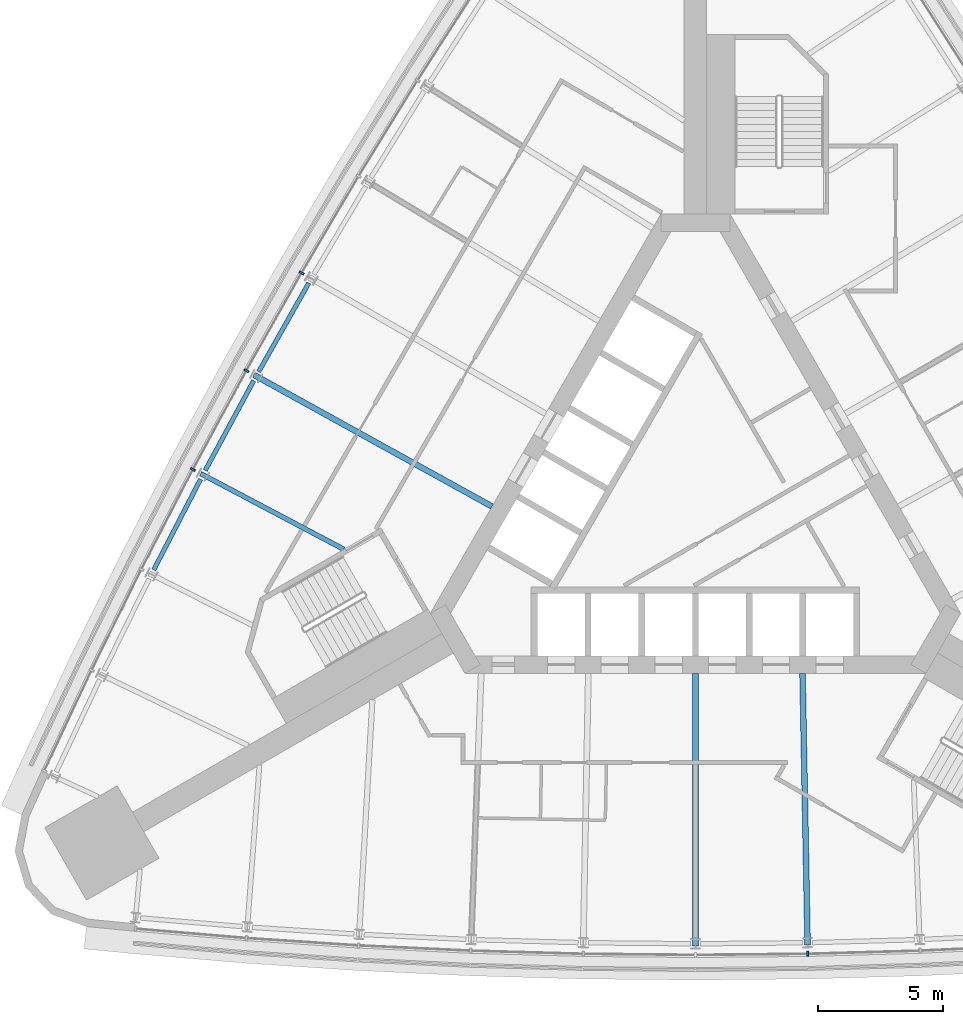
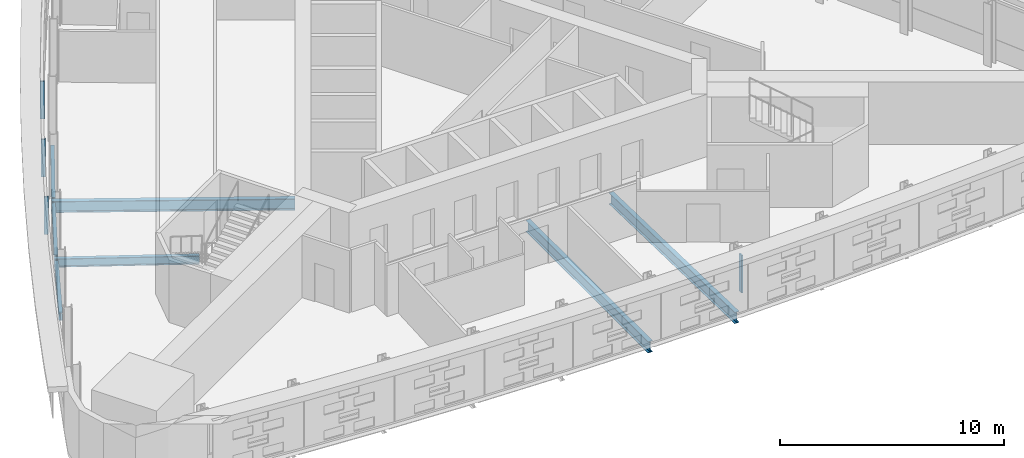
# One storey, part 4 of 14: 7 beams, 4 members, 2 elements without a shape of their own.
"""IFC4 building model written with IfcOpenShell, lengths in metres."""

from ifc_helpers import new_model, si_unit, direction, frame, origin, origin_2d, place, context, subcontext, project, spatial, rectangle, i_section, extrude, material, material_profile, profile_set, type_object, element, aggregate, save


model = new_model("IFC4")

# Units and contexts
model_context = context("Model", 3, precision=1e-05, world=origin(), true_north=direction((0.0, 1.0)))
body_context = subcontext(model_context, "Body", "Model", "MODEL_VIEW")
ifc_project = project(units=[si_unit("LENGTHUNIT", "METRE"), si_unit("AREAUNIT", "SQUARE_METRE"), si_unit("VOLUMEUNIT", "CUBIC_METRE"), si_unit("PLANEANGLEUNIT", "RADIAN"), si_unit("MASSUNIT", "GRAM", prefix="KILO")], contexts=[model_context])

# Site, building, storey
site_placement = place(None, origin())
site = spatial("IfcSite", under=ifc_project, at=site_placement, CompositionType="ELEMENT")
building_placement = place(site_placement, origin())
building = spatial("IfcBuilding", under=site, at=building_placement, Name="Noor Cloister Tower", CompositionType="ELEMENT")
storey_placement = place(building_placement, frame((0.0, 0.0, 42.0)))
storey = spatial("IfcBuildingStorey", under=building, at=storey_placement, Name="L10", CompositionType="ELEMENT", Elevation=42.0)

# Curtain wall, members
ifc_material_1 = material(Name="Aluminium 6063-T6 anodised", Category="aluminium")
curtain_wall_type = type_object("IfcCurtainWallType", Name="Ribbon curtain wall, lower tower CW1", PredefinedType="NOTDEFINED", material=ifc_material_1)
curtain_wall_1_placement = place(storey_placement, origin())
curtain_wall_1 = element("IfcCurtainWall", 1, at=curtain_wall_1_placement, inside=storey, type_object=curtain_wall_type, Name="CW1 L10 NW run 1", PredefinedType="NOTDEFINED")
ifc_material_2 = material(Name="Aluminium 6063-T6 anodised", Category="aluminium")
ifc_material_profile_1 = material_profile(ifc_material_2, rectangle(XDim=0.199951171875, YDim=0.080078125, at=origin_2d()), Name="200 x 80 mullion")
ifc_profile_set_1 = profile_set([ifc_material_profile_1], Name="Aluminium 6063-T6 anodised")
member_type = type_object("IfcMemberType", Name="Mullion CW1 80 x 200", PredefinedType="MULLION", material=ifc_profile_set_1)
member_1_placement = place(storey_placement, frame((-15.767578125, 9.103515625, 1.10009765625), z_axis=(0.0, 0.0, 1.0), x_axis=(0.866025403784, -0.5, 0.0)))
member_1 = element("IfcMember", 2, at=member_1_placement, type_object=member_type, Name="CW1 mullion 6", PredefinedType="MULLION", context=body_context, shape_type="SweptSolid", body=[
    extrude(rectangle(XDim=0.199951171875, YDim=0.080078125, at=origin_2d()), origin(), (0.0, 0.0, 1.0), 2.0498046875),
])
member_2_placement = place(storey_placement, frame((-17.97998046875, 5.18701171875, 1.10009765625), z_axis=(0.0, 0.0, 1.0), x_axis=(0.875236705229, -0.483694851967, 0.0)))
member_2 = element("IfcMember", 3, at=member_2_placement, type_object=member_type, Name="CW1 mullion 7", PredefinedType="MULLION", context=body_context, shape_type="SweptSolid", body=[
    extrude(rectangle(XDim=0.199951171875, YDim=0.080078125, at=origin_2d()), origin(), (0.0, 0.0, 1.0), 2.0498046875),
])
member_3_placement = place(storey_placement, frame((-20.11865234375, 1.22998046875, 1.10009765625), z_axis=(0.0, 0.0, 1.0), x_axis=(0.884141064129, -0.467220053851, 0.0)))
member_3 = element("IfcMember", 4, at=member_3_placement, type_object=member_type, Name="CW1 mullion 8", PredefinedType="MULLION", context=body_context, shape_type="SweptSolid", body=[
    extrude(rectangle(XDim=0.199951171875, YDim=0.080078125, at=origin_2d()), origin(), (0.0, 0.0, 1.0), 2.0498046875),
])
aggregate(curtain_wall_1, [member_1, member_2, member_3])

# Curtain wall, member
curtain_wall_2_placement = place(storey_placement, origin())
curtain_wall_2 = element("IfcCurtainWall", 5, at=curtain_wall_2_placement, inside=storey, type_object=curtain_wall_type, Name="CW1 L10 S run 2", PredefinedType="NOTDEFINED")
member_4_placement = place(storey_placement, frame((4.497802734375, -18.164794921875, 1.10009765625), z_axis=(0.0, 0.0, 1.0), x_axis=(-0.018726323132, 0.999824647037, 0.0)))
member_4 = element("IfcMember", 6, at=member_4_placement, type_object=member_type, Name="CW1 mullion 7", PredefinedType="MULLION", context=body_context, shape_type="SweptSolid", body=[
    extrude(rectangle(XDim=0.199951171875, YDim=0.080078125, at=origin_2d()), origin(), (0.0, 0.0, 1.0), 2.0498046875),
])
aggregate(curtain_wall_2, [member_4])

# Beams
ifc_material_3 = material(Name="Steel ASTM A992 Gr 50", Category="steel")
ifc_material_profile_2 = material_profile(ifc_material_3, i_section(OverallWidth=0.19091796875, OverallDepth=0.45703125, WebThickness=0.009033203125, FlangeThickness=0.014404296875, FilletRadius=0.01025390625, at=origin_2d()), Name="W460x74")
ifc_profile_set_2 = profile_set([ifc_material_profile_2], Name="Steel ASTM A992 Gr 50")
beam_type_1 = type_object("IfcBeamType", Name="Radial beam W460x74", PredefinedType="BEAM", material=ifc_profile_set_2)
beam_1_placement = place(storey_placement, frame((-19.806640625, 1.065185546875, -0.428466796875), z_axis=(0.884140269683, -0.467221557214, 0.0), x_axis=(0.467221557214, 0.884140269683, 0.0)))
element("IfcBeam", 7, at=beam_1_placement, inside=storey, type_object=beam_type_1, Name="Radial beam NW 08 L10", PredefinedType="BEAM", context=body_context, shape_type="SweptSolid", body=[
    extrude(i_section(OverallWidth=0.19091796875, OverallDepth=0.45703125, WebThickness=0.009033203125, FlangeThickness=0.014404296875, FilletRadius=0.01025390625, at=origin_2d()), origin(), (0.0, 0.0, 1.0), 6.484130859375),
])
ifc_material_4 = material(Name="Steel ASTM A992 Gr 50", Category="steel")
ifc_material_profile_3 = material_profile(ifc_material_4, i_section(OverallWidth=0.22900390625, OverallDepth=0.612060546875, WebThickness=0.011962890625, FlangeThickness=0.01953125, FilletRadius=0.0126953125, at=origin_2d()), Name="W610x125")
ifc_profile_set_3 = profile_set([ifc_material_profile_3], Name="Steel ASTM A992 Gr 50")
beam_type_2 = type_object("IfcBeamType", Name="Radial beam W610x125", PredefinedType="BEAM", material=ifc_profile_set_3)
beam_2_placement = place(storey_placement, frame((-17.671142578125, 5.016357421875, -0.506103515625), z_axis=(0.875231041062, -0.48370510103, 0.0), x_axis=(0.48370510103, 0.875231041062, 0.0)))
element("IfcBeam", 8, at=beam_2_placement, inside=storey, type_object=beam_type_2, Name="Radial beam NW 07 L10", PredefinedType="BEAM", context=body_context, shape_type="SweptSolid", body=[
    extrude(i_section(OverallWidth=0.22900390625, OverallDepth=0.612060546875, WebThickness=0.011962890625, FlangeThickness=0.01953125, FilletRadius=0.0126953125, at=origin_2d()), origin(), (0.0, 0.0, 1.0), 10.885498046875),
])
beam_3_placement = place(storey_placement, frame((0.0, -17.853759765625, -0.506103515625), z_axis=(0.0, 1.0, 0.0), x_axis=(-1.0, 0.0, 0.0)))
element("IfcBeam", 9, at=beam_3_placement, inside=storey, type_object=beam_type_2, Name="Radial beam S 06 L10", PredefinedType="BEAM", context=body_context, shape_type="SweptSolid", body=[
    extrude(i_section(OverallWidth=0.22900390625, OverallDepth=0.612060546875, WebThickness=0.011962890625, FlangeThickness=0.01953125, FilletRadius=0.0126953125, at=origin_2d()), origin(), (0.0, 0.0, 1.0), 10.925537109375),
])
beam_4_placement = place(storey_placement, frame((4.4912109375, -17.811767578125, -0.506103515625), z_axis=(-0.01872750761, 0.999824624851, 0.0), x_axis=(-0.999824624851, -0.01872750761, 0.0)))
element("IfcBeam", 10, at=beam_4_placement, inside=storey, type_object=beam_type_2, Name="Radial beam S 07 L10", PredefinedType="BEAM", context=body_context, shape_type="SweptSolid", body=[
    extrude(i_section(OverallWidth=0.22900390625, OverallDepth=0.612060546875, WebThickness=0.011962890625, FlangeThickness=0.01953125, FilletRadius=0.0126953125, at=origin_2d()), origin(), (0.0, 0.0, 1.0), 10.885498046875),
])
ifc_material_5 = material(Name="Steel ASTM A992 Gr 50", Category="steel")
ifc_material_profile_4 = material_profile(ifc_material_5, i_section(OverallWidth=0.177978515625, OverallDepth=0.406005859375, WebThickness=0.0078125, FlangeThickness=0.0126953125, FilletRadius=0.01025390625, at=origin_2d()), Name="W410x60")
ifc_profile_set_4 = profile_set([ifc_material_profile_4], Name="Steel ASTM A992 Gr 50")
beam_type_3 = type_object("IfcBeamType", Name="Spandrel beam W410x60", PredefinedType="SPANDREL", material=ifc_profile_set_4)
for number, where, z_axis, x_axis, name in (
    (11, (-15.477294921875, 8.70263671875, -0.403076171875), (-0.491840652179, -0.870685231794, 0.0), (0.870685231794, -0.491840652179, 0.0), "Spandrel beam NW 06 L10"),
    (12, (-17.68212890625, 4.791748046875, -0.403076171875), (-0.475478288793, -0.879727456027, 0.0), (0.879727456027, -0.475478288793, 0.0), "Spandrel beam NW 07 L10"),
    (13, (-19.8134765625, 0.84033203125, -0.403076171875), (-0.458910785429, -0.888482352676, 0.0), (0.888482352676, -0.458910785429, 0.0), "Spandrel beam NW 08 L10"),
):
    element("IfcBeam", number, at=place(storey_placement, frame(where, z_axis=z_axis, x_axis=x_axis)), inside=storey, type_object=beam_type_3, Name=name, PredefinedType="SPANDREL", context=body_context, shape_type="SweptSolid", body=[
        extrude(i_section(OverallWidth=0.177978515625, OverallDepth=0.406005859375, WebThickness=0.0078125, FlangeThickness=0.0126953125, FilletRadius=0.01025390625, at=origin_2d()), origin(), (0.0, 0.0, 1.0), 4.085693359375),
    ])

save(model, "model.ifc")
